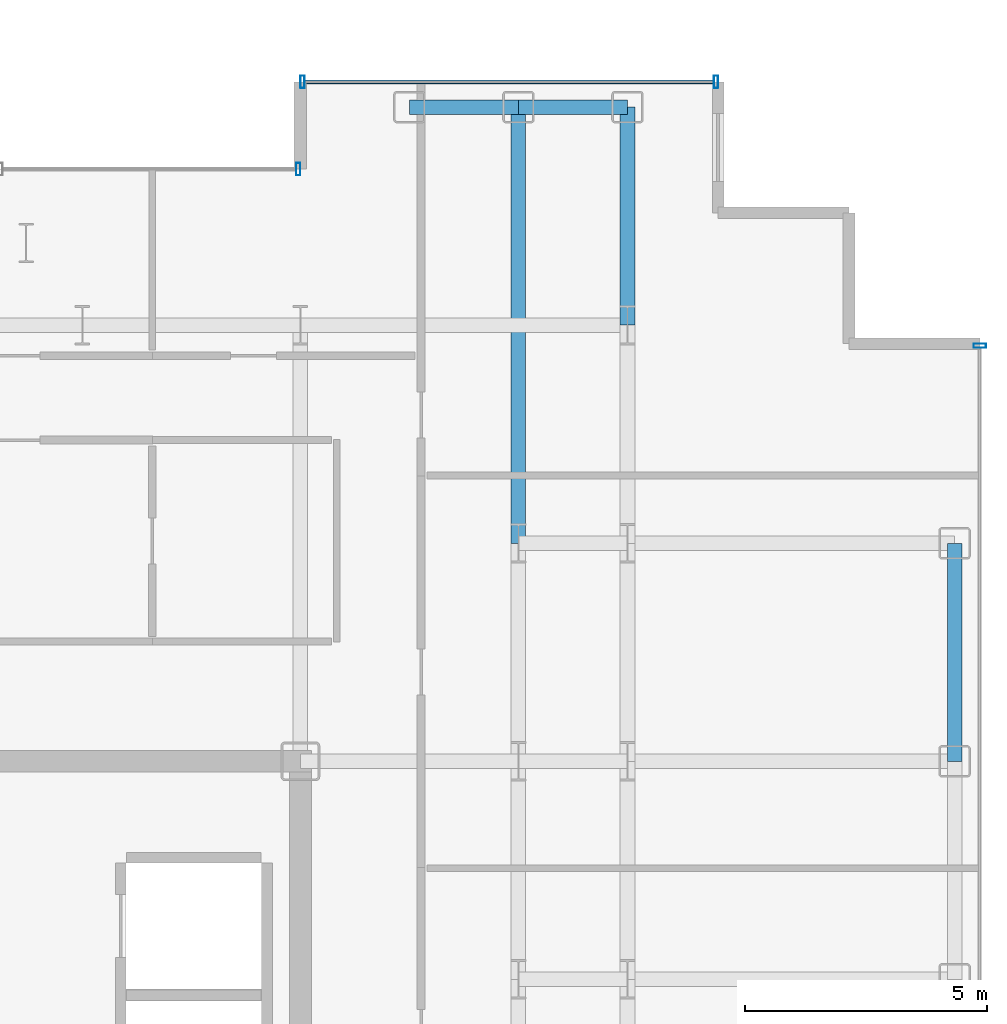
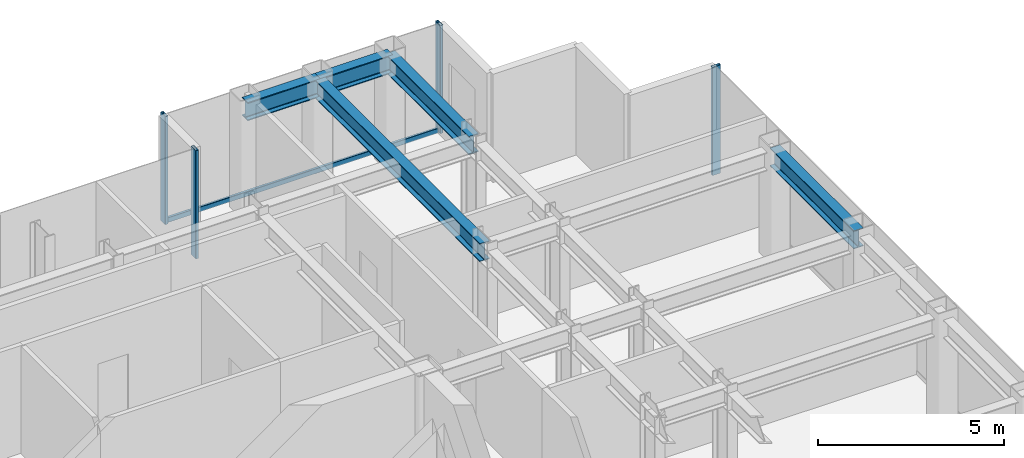
# One storey, part 12 of 20: 5 beams, 5 members, 3 elements without a shape of their own.
"""IFC4 building model written with IfcOpenShell, lengths in metres."""

from ifc_helpers import new_model, si_unit, direction, frame, origin, origin_2d, place, context, subcontext, project, spatial, hollow_rectangle, i_section, extrude, source, transform, mapped, material, layer, layer_set, material_profile, profile_set, type_object, element, aggregate, save


model = new_model("IFC4")

# Units and contexts
model_context = context("Model", 3, precision=1e-05, world=origin(), true_north=direction((0.0, 1.0)))
body_context = subcontext(model_context, "Body", "Model", "MODEL_VIEW")
ifc_project = project(units=[si_unit("LENGTHUNIT", "METRE"), si_unit("AREAUNIT", "SQUARE_METRE"), si_unit("VOLUMEUNIT", "CUBIC_METRE"), si_unit("PLANEANGLEUNIT", "RADIAN"), si_unit("MASSUNIT", "GRAM", prefix="KILO")], contexts=[model_context])

# Site, building, storey
site_placement = place(None, origin())
site = spatial("IfcSite", under=ifc_project, at=site_placement, CompositionType="ELEMENT")
building_placement = place(site_placement, origin())
building = spatial("IfcBuilding", under=site, at=building_placement, Name="Nefas-Gora Pilgrimage Tower", CompositionType="ELEMENT")
storey_placement = place(building_placement, frame((0.0, 0.0, 214.199951171875)))
storey = spatial("IfcBuildingStorey", under=building, at=storey_placement, Name="L53", CompositionType="ELEMENT", Elevation=214.199951171875)

# Beams
ifc_material_1 = material(Name="Steel S355", Category="steel")
ifc_material_profile_1 = material_profile(ifc_material_1, i_section(OverallWidth=0.300048828125, OverallDepth=0.60009765625, WebThickness=0.015380859375, FlangeThickness=0.030029296875, FilletRadius=0.027099609375, at=origin_2d()), Name="HEB 600")
ifc_profile_set_1 = profile_set([ifc_material_profile_1], Name="Steel S355")
beam_type_1 = type_object("IfcBeamType", Name="BM-SPN-HEB450", PredefinedType="SPANDREL", material=ifc_profile_set_1)
shared_shape_1 = source(origin(), body_context, "Body", "SweptSolid", [
    extrude(i_section(OverallWidth=0.300048828125, OverallDepth=0.60009765625, WebThickness=0.015380859375, FlangeThickness=0.030029296875, FilletRadius=0.027099609375, at=origin_2d()), origin(), (0.0, 0.0, 1.0), 4.5),
])
beam_1_placement = place(storey_placement, frame((24.75, 9.0, 3.25), z_axis=(0.0, 1.0, 0.0), x_axis=(-1.0, 0.0, 0.0)))
element("IfcBeam", 1, at=beam_1_placement, inside=storey, type_object=beam_type_1, Name="L53 SP-03 beam", PredefinedType="SPANDREL", context=body_context, shape_type="MappedRepresentation", body=[
    mapped(shared_shape_1, transform((0.0, 0.0, 0.0), x_axis=(1.0, 0.0, 0.0), y_axis=(0.0, 1.0, 0.0), z_axis=(0.0, 0.0, 1.0), scale=1.0)),
])
ifc_material_profile_2 = material_profile(ifc_material_1, i_section(OverallWidth=0.300048828125, OverallDepth=0.60009765625, WebThickness=0.015380859375, FlangeThickness=0.030029296875, FilletRadius=0.027099609375, at=origin_2d()), Name="HEB 600")
ifc_profile_set_2 = profile_set([ifc_material_profile_2], Name="Steel S355")
beam_type_2 = type_object("IfcBeamType", Name="BM-GIR-HEB600", PredefinedType="BEAM", material=ifc_profile_set_2)
shared_shape_2 = source(origin(), body_context, "Body", "SweptSolid", [
    extrude(i_section(OverallWidth=0.300048828125, OverallDepth=0.60009765625, WebThickness=0.015380859375, FlangeThickness=0.030029296875, FilletRadius=0.027099609375, at=origin_2d()), origin(), (0.0, 0.0, 1.0), 9.0),
])
beam_2_placement = place(storey_placement, frame((15.75, 13.5, 3.25), z_axis=(0.0, 1.0, 0.0), x_axis=(-1.0, 0.0, 0.0)))
element("IfcBeam", 2, at=beam_2_placement, inside=storey, type_object=beam_type_2, Name="L53 G-04 beam", PredefinedType="BEAM", context=body_context, shape_type="MappedRepresentation", body=[
    mapped(shared_shape_2, transform((0.0, 0.0, 0.0), x_axis=(1.0, 0.0, 0.0), y_axis=(0.0, 1.0, 0.0), z_axis=(0.0, 0.0, 1.0), scale=1.0)),
])
shared_shape_3 = source(origin(), body_context, "Body", "SweptSolid", [
    extrude(i_section(OverallWidth=0.300048828125, OverallDepth=0.60009765625, WebThickness=0.015380859375, FlangeThickness=0.030029296875, FilletRadius=0.027099609375, at=origin_2d()), origin(), (0.0, 0.0, 1.0), 4.5),
])
beam_3_placement = place(storey_placement, frame((18.0, 18.0, 3.25), z_axis=(0.0, 1.0, 0.0), x_axis=(-1.0, 0.0, 0.0)))
element("IfcBeam", 3, at=beam_3_placement, inside=storey, type_object=beam_type_2, Name="L53 G-04 beam", PredefinedType="BEAM", context=body_context, shape_type="MappedRepresentation", body=[
    mapped(shared_shape_3, transform((0.0, 0.0, 0.0), x_axis=(1.0, 0.0, 0.0), y_axis=(0.0, 1.0, 0.0), z_axis=(0.0, 0.0, 1.0), scale=1.0)),
])
shared_shape_4 = source(origin(), body_context, "Body", "SweptSolid", [
    extrude(i_section(OverallWidth=0.300048828125, OverallDepth=0.60009765625, WebThickness=0.015380859375, FlangeThickness=0.030029296875, FilletRadius=0.027099609375, at=origin_2d()), origin(), (0.0, 0.0, 1.0), 2.25),
])
for number, where, z_axis, x_axis, name in (
    (4, (13.5, 22.5, 3.25), (1.0, 0.0, 0.0), (0.0, 1.0, 0.0), "L53 SP-03 beam"),
    (5, (15.75, 22.5, 3.25), (1.0, 0.0, 0.0), (0.0, 1.0, 0.0), "L53 SP-03 beam"),
):
    element("IfcBeam", number, at=place(storey_placement, frame(where, z_axis=z_axis, x_axis=x_axis)), inside=storey, type_object=beam_type_1, Name=name, PredefinedType="SPANDREL", context=body_context, shape_type="MappedRepresentation", body=[
        mapped(shared_shape_4, transform((0.0, 0.0, 0.0), x_axis=(1.0, 0.0, 0.0), y_axis=(0.0, 1.0, 0.0), z_axis=(0.0, 0.0, 1.0), scale=1.0)),
    ])

# Curtain wall, member
ifc_material_2 = material(Name="Dark ceramic-fritted solar-control aluminium-glass curtain wall", Category="aluminium")
ifc_layer_1 = layer(ifc_material_2, 0.219970703125)
ifc_layer_set_1 = layer_set([ifc_layer_1], Name="Dark ceramic-fritted solar-control aluminium-glass curtain wall")
curtain_wall_type_1 = type_object("IfcCurtainWallType", Name="CW-SYS-5", PredefinedType="NOTDEFINED", material=ifc_layer_set_1)
curtain_wall_1_placement = place(storey_placement, origin())
curtain_wall_1 = element("IfcCurtainWall", 6, at=curtain_wall_1_placement, inside=storey, type_object=curtain_wall_type_1, Name="L53 Unitised Curtain Wall CW5", PredefinedType="NOTDEFINED")
ifc_material_3 = material(Name="Anodised architectural aluminium", Category="aluminium")
ifc_material_profile_3 = material_profile(ifc_material_3, hollow_rectangle(XDim=0.090087890625, YDim=0.260009765625, WallThickness=0.006103515625, InnerFilletRadius=0.006103515625, OuterFilletRadius=0.011962890625, at=origin_2d()), Name="ALU MULLION 90x260")
ifc_profile_set_3 = profile_set([ifc_material_profile_3], Name="Anodised architectural aluminium")
member_type_1 = type_object("IfcMemberType", Name="CWM-MUL-5", PredefinedType="MULLION", material=ifc_profile_set_3)
shared_shape_5 = source(origin(), body_context, "Body", "SweptSolid", [
    extrude(hollow_rectangle(XDim=0.090087890625, YDim=0.260009765625, WallThickness=0.006103515625, InnerFilletRadius=0.006103515625, OuterFilletRadius=0.011962890625, at=origin_2d()), origin(), (0.0, 0.0, 1.0), 3.550048828125),
])
member_1_placement = place(storey_placement, frame((11.205078125, 21.219970703125, 0.0), z_axis=(0.0, 0.0, 1.0), x_axis=(-1.0, 0.0, 0.0)))
member_1 = element("IfcMember", 7, at=member_1_placement, type_object=member_type_1, Name="CW5 Mullion 1", PredefinedType="MULLION", context=body_context, shape_type="MappedRepresentation", body=[
    mapped(shared_shape_5, transform((0.0, 0.0, 0.0), x_axis=(1.0, 0.0, 0.0), y_axis=(0.0, 1.0, 0.0), z_axis=(0.0, 0.0, 1.0), scale=1.0)),
])
aggregate(curtain_wall_1, [member_1])

ifc_layer_2 = layer(ifc_material_2, 0.219970703125)
ifc_layer_set_2 = layer_set([ifc_layer_2], Name="Dark ceramic-fritted solar-control aluminium-glass curtain wall")
curtain_wall_type_2 = type_object("IfcCurtainWallType", Name="CW-SYS-3", PredefinedType="NOTDEFINED", material=ifc_layer_set_2)
curtain_wall_2_placement = place(storey_placement, origin())
curtain_wall_2 = element("IfcCurtainWall", 8, at=curtain_wall_2_placement, inside=storey, type_object=curtain_wall_type_2, Name="L53 Unitised Curtain Wall CW3", PredefinedType="NOTDEFINED")
ifc_material_profile_4 = material_profile(ifc_material_3, hollow_rectangle(XDim=0.090087890625, YDim=0.260009765625, WallThickness=0.006103515625, InnerFilletRadius=0.006103515625, OuterFilletRadius=0.011962890625, at=origin_2d()), Name="ALU MULLION 90x260")
ifc_profile_set_4 = profile_set([ifc_material_profile_4], Name="Anodised architectural aluminium")
member_type_2 = type_object("IfcMemberType", Name="CWM-MUL-3", PredefinedType="MULLION", material=ifc_profile_set_4)
shared_shape_6 = source(origin(), body_context, "Body", "SweptSolid", [
    extrude(hollow_rectangle(XDim=0.090087890625, YDim=0.260009765625, WallThickness=0.006103515625, InnerFilletRadius=0.006103515625, OuterFilletRadius=0.011962890625, at=origin_2d()), origin(), (0.0, 0.0, 1.0), 3.550048828125),
])
member_2_placement = place(storey_placement, frame((25.27001953125, 17.574951171875, 0.0), z_axis=(0.0, 0.0, 1.0), x_axis=(0.0, 1.0, 0.0)))
member_2 = element("IfcMember", 9, at=member_2_placement, type_object=member_type_2, Name="CW3 Mullion 2", PredefinedType="MULLION", context=body_context, shape_type="MappedRepresentation", body=[
    mapped(shared_shape_6, transform((0.0, 0.0, 0.0), x_axis=(1.0, 0.0, 0.0), y_axis=(0.0, 1.0, 0.0), z_axis=(0.0, 0.0, 1.0), scale=1.0)),
])
aggregate(curtain_wall_2, [member_2])

# Curtain wall, members
curtain_wall_3_placement = place(storey_placement, origin())
curtain_wall_3 = element("IfcCurtainWall", 10, at=curtain_wall_3_placement, inside=storey, type_object=curtain_wall_type_2, Name="L53 Unitised Curtain Wall CW3", PredefinedType="NOTDEFINED")
member_3_placement = place(storey_placement, frame((19.824951171875, 23.02001953125, 0.0), z_axis=(0.0, 0.0, 1.0), x_axis=(-1.0, 0.0, 0.0)))
member_3 = element("IfcMember", 11, at=member_3_placement, type_object=member_type_2, Name="CW3 Mullion 1", PredefinedType="MULLION", context=body_context, shape_type="MappedRepresentation", body=[
    mapped(shared_shape_6, transform((0.0, 0.0, 0.0), x_axis=(1.0, 0.0, 0.0), y_axis=(0.0, 1.0, 0.0), z_axis=(0.0, 0.0, 1.0), scale=1.0)),
])
member_4_placement = place(storey_placement, frame((11.294921875, 23.02001953125, 0.0), z_axis=(0.0, 0.0, 1.0), x_axis=(-1.0, 0.0, 0.0)))
member_4 = element("IfcMember", 12, at=member_4_placement, type_object=member_type_2, Name="CW3 Mullion 2", PredefinedType="MULLION", context=body_context, shape_type="MappedRepresentation", body=[
    mapped(shared_shape_6, transform((0.0, 0.0, 0.0), x_axis=(1.0, 0.0, 0.0), y_axis=(0.0, 1.0, 0.0), z_axis=(0.0, 0.0, 1.0), scale=1.0)),
])
ifc_material_profile_5 = material_profile(ifc_material_3, hollow_rectangle(XDim=0.080078125, YDim=0.159912109375, WallThickness=0.00439453125, InnerFilletRadius=0.00439453125, OuterFilletRadius=0.009033203125, at=origin_2d()), Name="ALU TRANSOM 80x160")
ifc_profile_set_5 = profile_set([ifc_material_profile_5], Name="Anodised architectural aluminium")
member_type_3 = type_object("IfcMemberType", Name="CWM-TRN-3", PredefinedType="USERDEFINED", material=ifc_profile_set_5)
shared_shape_7 = source(origin(), body_context, "Body", "SweptSolid", [
    extrude(hollow_rectangle(XDim=0.080078125, YDim=0.159912109375, WallThickness=0.00439453125, InnerFilletRadius=0.00439453125, OuterFilletRadius=0.009033203125, at=origin_2d()), origin(), (0.0, 0.0, 1.0), 8.43994140625),
])
member_5_placement = place(storey_placement, frame((19.780029296875, 23.02001953125, 0.050048828125), z_axis=(-1.0, 0.0, 0.0), x_axis=(0.0, -1.0, 0.0)))
member_5 = element("IfcMember", 13, at=member_5_placement, type_object=member_type_3, Name="CW3 Spandrel Transom", ObjectType="TRANSOM", PredefinedType="USERDEFINED", context=body_context, shape_type="MappedRepresentation", body=[
    mapped(shared_shape_7, transform((0.0, 0.0, 0.0), x_axis=(1.0, 0.0, 0.0), y_axis=(0.0, 1.0, 0.0), z_axis=(0.0, 0.0, 1.0), scale=1.0)),
])
aggregate(curtain_wall_3, [member_3, member_4, member_5])

save(model, "model.ifc")
